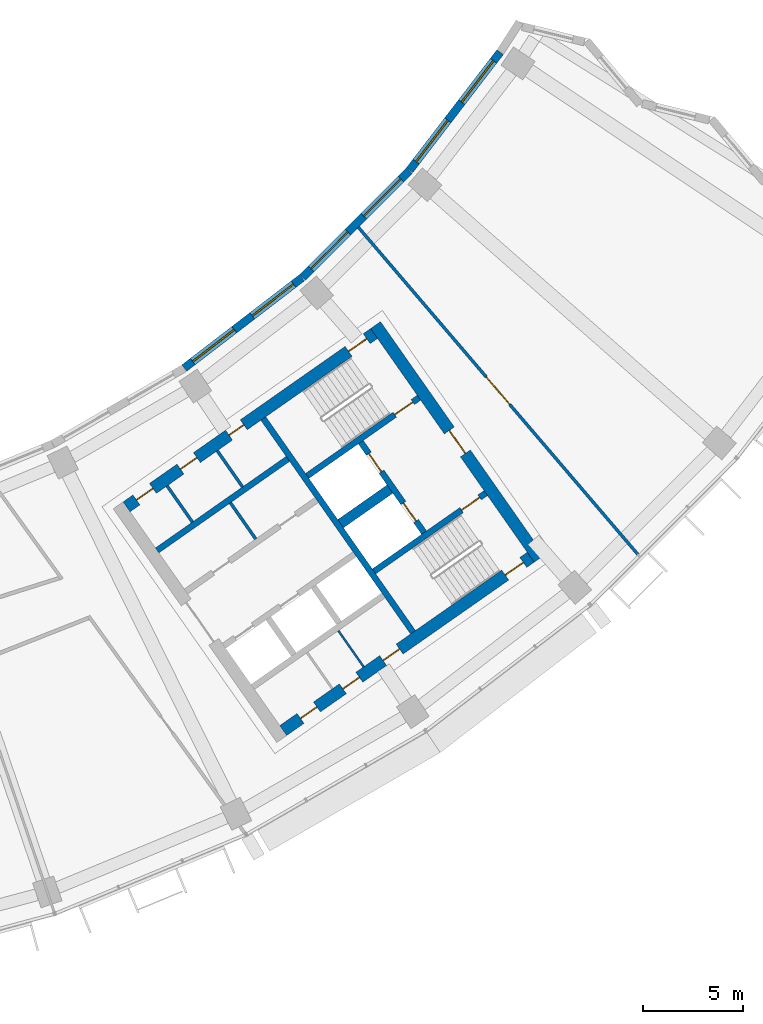
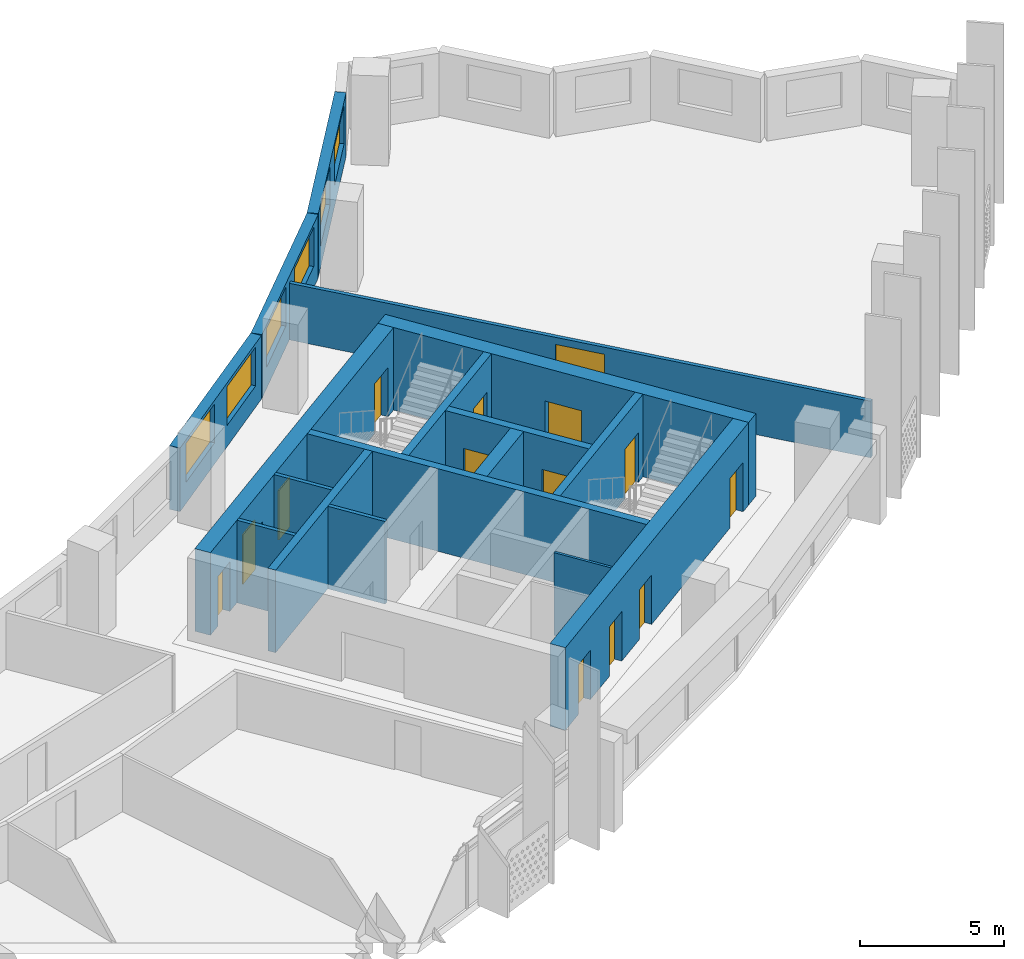
# One storey, part 7 of 27: 17 walls, 14 doors, 6 windows, 20 openings.
"""IFC4 building model written with IfcOpenShell, lengths in metres."""

from ifc_helpers import new_model, si_unit, direction, frame, frame_2d, origin, place, context, subcontext, project, spatial, rectangle, extrude, material, layer, layer_set, type_object, element, fill, save


model = new_model("IFC4")

# Units and contexts
model_context = context("Model", 3, precision=1e-05, world=origin(), true_north=direction((0.0, 1.0)))
body_context = subcontext(model_context, "Body", "Model", "MODEL_VIEW")
ifc_project = project(units=[si_unit("LENGTHUNIT", "METRE"), si_unit("AREAUNIT", "SQUARE_METRE"), si_unit("VOLUMEUNIT", "CUBIC_METRE"), si_unit("PLANEANGLEUNIT", "RADIAN"), si_unit("MASSUNIT", "GRAM", prefix="KILO")], contexts=[model_context])

# Site, building, storey
site_placement = place(None, origin())
site = spatial("IfcSite", under=ifc_project, at=site_placement, CompositionType="ELEMENT")
building_placement = place(site_placement, origin())
building = spatial("IfcBuilding", under=site, at=building_placement, Name="Qamariyya Broadcast Tower", CompositionType="ELEMENT")
storey_placement = place(building_placement, frame((0.0, 0.0, 164.5)))
storey = spatial("IfcBuildingStorey", under=building, at=storey_placement, Name="L38", CompositionType="ELEMENT", Elevation=164.5)

# Wall, opening, door
ifc_material_1 = material(Name="Concrete C60/75", Category="concrete")
ifc_layer_1 = layer(ifc_material_1, 0.60009765625)
ifc_layer_set_1 = layer_set([ifc_layer_1], Name="Core wall 600 mm Concrete C60/75")
wall_type_1 = type_object("IfcWallType", Name="Core wall 600 mm Concrete C60/75", PredefinedType="SHEAR", material=ifc_layer_set_1)
wall_1_placement = place(storey_placement, frame((49.4833984375, -57.031494140625, 0.0), z_axis=(0.0, 0.0, 1.0), x_axis=(-0.573560421458, 0.819163257805, 0.0)))
wall_1 = element("IfcWall", 1, at=wall_1_placement, inside=storey, type_object=wall_type_1, Name="k-E-L38-WH", PredefinedType="SHEAR", context=body_context, shape_type="SweptSolid", body=[
    extrude(rectangle(XDim=14.199951171875, YDim=0.60009765625, at=frame_2d((7.10009765625, 0.0))), origin(), (0.0, 0.0, 1.0), 3.5),
])
opening_1_placement = place(wall_1_placement, frame((6.39990234375, 0.0, 0.0)))
opening_1 = element("IfcOpeningElement", 2, at=opening_1_placement, cuts=wall_1, Name="Opening KD2-E1", PredefinedType="OPENING", context=body_context, shape_type="SweptSolid", body=[
    extrude(rectangle(XDim=1.39990234375, YDim=2.10009765625, at=frame_2d((0.699951171875, 1.050048828125))), frame((0.0, 0.31005859375, 0.0), z_axis=(0.0, -1.0, 0.0), x_axis=(1.0, 0.0, 0.0)), (0.0, 0.0, 1.0), 0.6201171875),
])
ifc_material_2 = material(Name="Steel fire-resisting door leaf", Category="steel")
door_type_1 = type_object("IfcDoorType", Name="Fire-fighting lobby door KD2", OperationType="DOUBLE_DOOR_SINGLE_SWING", PredefinedType="DOOR", material=ifc_material_2)
door_1_placement = place(opening_1_placement, origin())
door_1 = element("IfcDoor", 3, at=door_1_placement, inside=storey, type_object=door_type_1, Name="k-E-L38-WH-D14", OperationType="DOUBLE_DOOR_SINGLE_SWING", OverallHeight=2.10009765625, OverallWidth=1.39990234375, PredefinedType="DOOR", context=body_context, shape_type="SweptSolid", body=[
    extrude(rectangle(XDim=1.39990234375, YDim=2.10009765625, at=frame_2d((0.699951171875, 1.050048828125))), frame((0.0, 0.02490234375, 0.0), z_axis=(0.0, -1.0, 0.0), x_axis=(1.0, 0.0, 0.0)), (0.0, 0.0, 1.0), 0.050048828125),
])
fill(opening_1, door_1)

# Wall, openings, doors
wall_2_placement = place(storey_placement, frame((28.940673828125, -54.447021484375, 0.0), z_axis=(0.0, 0.0, 1.0), x_axis=(0.819153391756, 0.573574511963, 0.0)))
wall_2 = element("IfcWall", 4, at=wall_2_placement, inside=storey, type_object=wall_type_1, Name="k-E-L38-WI", PredefinedType="SHEAR", context=body_context, shape_type="SweptSolid", body=[
    extrude(rectangle(XDim=15.04541015625, YDim=0.60009765625, at=frame_2d((7.522705078125, 0.0))), origin(), (0.0, 0.0, 1.0), 3.5),
])
opening_2_placement = place(wall_2_placement, frame((0.60009765625, 0.0, 0.0)))
opening_2 = element("IfcOpeningElement", 5, at=opening_2_placement, cuts=wall_2, Name="Opening KD7-E1", PredefinedType="OPENING", context=body_context, shape_type="SweptSolid", body=[
    extrude(rectangle(XDim=1.0, YDim=2.10009765625, at=frame_2d((0.5, 1.050048828125))), frame((0.0, 0.31005859375, 0.0), z_axis=(0.0, -1.0, 0.0), x_axis=(1.0, 0.0, 0.0)), (0.0, 0.0, 1.0), 0.6201171875),
])
opening_3_placement = place(wall_2_placement, frame((3.27490234375, 0.0, 0.0)))
opening_3 = element("IfcOpeningElement", 6, at=opening_3_placement, cuts=wall_2, Name="Opening KD6-E3", PredefinedType="OPENING", context=body_context, shape_type="SweptSolid", body=[
    extrude(rectangle(XDim=1.0, YDim=2.10009765625, at=frame_2d((0.5, 1.050048828125))), frame((0.0, 0.31005859375, 0.0), z_axis=(0.0, -1.0, 0.0), x_axis=(1.0, 0.0, 0.0)), (0.0, 0.0, 1.0), 0.6201171875),
])
opening_4_placement = place(wall_2_placement, frame((6.22509765625, 0.0, 0.0)))
opening_4 = element("IfcOpeningElement", 7, at=opening_4_placement, cuts=wall_2, Name="Opening KD5-E1", PredefinedType="OPENING", context=body_context, shape_type="SweptSolid", body=[
    extrude(rectangle(XDim=0.89990234375, YDim=2.10009765625, at=frame_2d((0.449951171875, 1.050048828125))), frame((0.0, 0.31005859375, 0.0), z_axis=(0.0, -1.0, 0.0), x_axis=(1.0, 0.0, 0.0)), (0.0, 0.0, 1.0), 0.6201171875),
])
opening_5_placement = place(wall_2_placement, frame((13.495361328125, 0.0, 0.0)))
opening_5 = element("IfcOpeningElement", 8, at=opening_5_placement, cuts=wall_2, Name="Opening KD1-E1", PredefinedType="OPENING", context=body_context, shape_type="SweptSolid", body=[
    extrude(rectangle(XDim=1.10009765625, YDim=2.10009765625, at=frame_2d((0.550048828125, 1.050048828125))), frame((0.0, 0.31005859375, 0.0), z_axis=(0.0, -1.0, 0.0), x_axis=(1.0, 0.0, 0.0)), (0.0, 0.0, 1.0), 0.6201171875),
])
door_type_2 = type_object("IfcDoorType", Name="Accessible toilet door KD7", OperationType="SINGLE_SWING_LEFT", PredefinedType="DOOR", material=ifc_material_2)
door_2_placement = place(opening_2_placement, origin())
door_2 = element("IfcDoor", 9, at=door_2_placement, inside=storey, type_object=door_type_2, Name="k-E-L38-WI-D6", OperationType="SINGLE_SWING_RIGHT", OverallHeight=2.10009765625, OverallWidth=1.0, PredefinedType="DOOR", context=body_context, shape_type="SweptSolid", body=[
    extrude(rectangle(XDim=1.0, YDim=2.10009765625, at=frame_2d((0.5, 1.050048828125))), frame((0.0, 0.02490234375, 0.0), z_axis=(0.0, -1.0, 0.0), x_axis=(1.0, 0.0, 0.0)), (0.0, 0.0, 1.0), 0.050048828125),
])
fill(opening_2, door_2)
door_type_3 = type_object("IfcDoorType", Name="Core room door KD6", OperationType="SINGLE_SWING_LEFT", PredefinedType="DOOR", material=ifc_material_2)
door_3_placement = place(opening_3_placement, origin())
door_3 = element("IfcDoor", 10, at=door_3_placement, inside=storey, type_object=door_type_3, Name="k-E-L38-WI-D7", OperationType="SINGLE_SWING_LEFT", OverallHeight=2.10009765625, OverallWidth=1.0, PredefinedType="DOOR", context=body_context, shape_type="SweptSolid", body=[
    extrude(rectangle(XDim=1.0, YDim=2.10009765625, at=frame_2d((0.5, 1.050048828125))), frame((0.0, 0.02490234375, 0.0), z_axis=(0.0, -1.0, 0.0), x_axis=(1.0, 0.0, 0.0)), (0.0, 0.0, 1.0), 0.050048828125),
])
fill(opening_3, door_3)
door_type_4 = type_object("IfcDoorType", Name="Stair door KD1", OperationType="SINGLE_SWING_LEFT", PredefinedType="DOOR", material=ifc_material_2)
door_4_placement = place(opening_5_placement, origin())
door_4 = element("IfcDoor", 11, at=door_4_placement, inside=storey, type_object=door_type_4, Name="k-E-L38-WI-D15", OperationType="SINGLE_SWING_RIGHT", OverallHeight=2.10009765625, OverallWidth=1.10009765625, PredefinedType="DOOR", context=body_context, shape_type="SweptSolid", body=[
    extrude(rectangle(XDim=1.10009765625, YDim=2.10009765625, at=frame_2d((0.550048828125, 1.050048828125))), frame((0.0, 0.02490234375, 0.0), z_axis=(0.0, -1.0, 0.0), x_axis=(1.0, 0.0, 0.0)), (0.0, 0.0, 1.0), 0.050048828125),
])
fill(opening_5, door_4)
door_type_5 = type_object("IfcDoorType", Name="Toilet door KD5", OperationType="SINGLE_SWING_LEFT", PredefinedType="DOOR", material=ifc_material_2)
door_5_placement = place(opening_4_placement, origin())
door_5 = element("IfcDoor", 12, at=door_5_placement, inside=storey, type_object=door_type_5, Name="k-E-L38-WI-D8", OperationType="SINGLE_SWING_RIGHT", OverallHeight=2.10009765625, OverallWidth=0.89990234375, PredefinedType="DOOR", context=body_context, shape_type="SweptSolid", body=[
    extrude(rectangle(XDim=0.89990234375, YDim=2.10009765625, at=frame_2d((0.449951171875, 1.050048828125))), frame((0.0, 0.02490234375, 0.0), z_axis=(0.0, -1.0, 0.0), x_axis=(1.0, 0.0, 0.0)), (0.0, 0.0, 1.0), 0.050048828125),
])
fill(opening_4, door_5)

wall_3_placement = place(storey_placement, frame((36.7412109375, -65.58740234375, 0.0), z_axis=(0.0, 0.0, 1.0), x_axis=(0.819153391756, 0.573574511963, 0.0)))
wall_3 = element("IfcWall", 13, at=wall_3_placement, inside=storey, type_object=wall_type_1, Name="k-E-L38-WO", PredefinedType="SHEAR", context=body_context, shape_type="SweptSolid", body=[
    extrude(rectangle(XDim=15.04541015625, YDim=0.60009765625, at=frame_2d((7.522705078125, 0.0))), origin(), (0.0, 0.0, 1.0), 3.5),
])
opening_6_placement = place(wall_3_placement, frame((1.050048828125, 0.0, 0.0)))
opening_6 = element("IfcOpeningElement", 14, at=opening_6_placement, cuts=wall_3, Name="Opening KD4-E1", PredefinedType="OPENING", context=body_context, shape_type="SweptSolid", body=[
    extrude(rectangle(XDim=1.0, YDim=2.10009765625, at=frame_2d((0.5, 1.050048828125))), frame((0.0, 0.31005859375, 0.0), z_axis=(0.0, -1.0, 0.0), x_axis=(1.0, 0.0, 0.0)), (0.0, 0.0, 1.0), 0.6201171875),
])
opening_7_placement = place(wall_3_placement, frame((3.625, 0.0, 0.0)))
opening_7 = element("IfcOpeningElement", 15, at=opening_7_placement, cuts=wall_3, Name="Opening KD4-E2", PredefinedType="OPENING", context=body_context, shape_type="SweptSolid", body=[
    extrude(rectangle(XDim=1.0, YDim=2.10009765625, at=frame_2d((0.5, 1.050048828125))), frame((0.0, 0.31005859375, 0.0), z_axis=(0.0, -1.0, 0.0), x_axis=(1.0, 0.0, 0.0)), (0.0, 0.0, 1.0), 0.6201171875),
])
opening_8_placement = place(wall_3_placement, frame((6.074951171875, 0.0, 0.0)))
opening_8 = element("IfcOpeningElement", 16, at=opening_8_placement, cuts=wall_3, Name="Opening KD6-E4", PredefinedType="OPENING", context=body_context, shape_type="SweptSolid", body=[
    extrude(rectangle(XDim=1.0, YDim=2.10009765625, at=frame_2d((0.5, 1.050048828125))), frame((0.0, 0.31005859375, 0.0), z_axis=(0.0, -1.0, 0.0), x_axis=(1.0, 0.0, 0.0)), (0.0, 0.0, 1.0), 0.6201171875),
])
opening_9_placement = place(wall_3_placement, frame((13.495361328125, 0.0, 0.0)))
opening_9 = element("IfcOpeningElement", 17, at=opening_9_placement, cuts=wall_3, Name="Opening KD1-E3", PredefinedType="OPENING", context=body_context, shape_type="SweptSolid", body=[
    extrude(rectangle(XDim=1.10009765625, YDim=2.10009765625, at=frame_2d((0.550048828125, 1.050048828125))), frame((0.0, 0.31005859375, 0.0), z_axis=(0.0, -1.0, 0.0), x_axis=(1.0, 0.0, 0.0)), (0.0, 0.0, 1.0), 0.6201171875),
])
door_6_placement = place(opening_8_placement, origin())
door_6 = element("IfcDoor", 18, at=door_6_placement, inside=storey, type_object=door_type_3, Name="k-E-L38-WO-D11", OperationType="SINGLE_SWING_LEFT", OverallHeight=2.10009765625, OverallWidth=1.0, PredefinedType="DOOR", context=body_context, shape_type="SweptSolid", body=[
    extrude(rectangle(XDim=1.0, YDim=2.10009765625, at=frame_2d((0.5, 1.050048828125))), frame((0.0, 0.02490234375, 0.0), z_axis=(0.0, -1.0, 0.0), x_axis=(1.0, 0.0, 0.0)), (0.0, 0.0, 1.0), 0.050048828125),
])
fill(opening_8, door_6)
door_type_6 = type_object("IfcDoorType", Name="Riser and plant door KD4", OperationType="SINGLE_SWING_LEFT", PredefinedType="DOOR", material=ifc_material_2)
door_7_placement = place(opening_6_placement, origin())
door_7 = element("IfcDoor", 19, at=door_7_placement, inside=storey, type_object=door_type_6, Name="k-E-L38-WO-D9", OperationType="SINGLE_SWING_LEFT", OverallHeight=2.10009765625, OverallWidth=1.0, PredefinedType="DOOR", context=body_context, shape_type="SweptSolid", body=[
    extrude(rectangle(XDim=1.0, YDim=2.10009765625, at=frame_2d((0.5, 1.050048828125))), frame((0.0, 0.02490234375, 0.0), z_axis=(0.0, -1.0, 0.0), x_axis=(1.0, 0.0, 0.0)), (0.0, 0.0, 1.0), 0.050048828125),
])
fill(opening_6, door_7)
door_8_placement = place(opening_7_placement, origin())
door_8 = element("IfcDoor", 20, at=door_8_placement, inside=storey, type_object=door_type_6, Name="k-E-L38-WO-D10", OperationType="SINGLE_SWING_RIGHT", OverallHeight=2.10009765625, OverallWidth=1.0, PredefinedType="DOOR", context=body_context, shape_type="SweptSolid", body=[
    extrude(rectangle(XDim=1.0, YDim=2.10009765625, at=frame_2d((0.5, 1.050048828125))), frame((0.0, 0.02490234375, 0.0), z_axis=(0.0, -1.0, 0.0), x_axis=(1.0, 0.0, 0.0)), (0.0, 0.0, 1.0), 0.050048828125),
])
fill(opening_7, door_8)
door_9_placement = place(opening_9_placement, origin())
door_9 = element("IfcDoor", 21, at=door_9_placement, inside=storey, type_object=door_type_4, Name="k-E-L38-WO-D17", OperationType="SINGLE_SWING_LEFT", OverallHeight=2.10009765625, OverallWidth=1.10009765625, PredefinedType="DOOR", context=body_context, shape_type="SweptSolid", body=[
    extrude(rectangle(XDim=1.10009765625, YDim=2.10009765625, at=frame_2d((0.550048828125, 1.050048828125))), frame((0.0, 0.02490234375, 0.0), z_axis=(0.0, -1.0, 0.0), x_axis=(1.0, 0.0, 0.0)), (0.0, 0.0, 1.0), 0.050048828125),
])
fill(opening_9, door_9)

# Wall, opening, door
ifc_material_3 = material(Name="Gypsum board partition")
ifc_layer_2 = layer(ifc_material_3, 0.14990234375)
ifc_layer_set_2 = layer_set([ifc_layer_2], Name="Corridor partition 150 EI 60")
wall_type_2 = type_object("IfcWallType", Name="Corridor partition 150 EI 60", PredefinedType="PARTITIONING", material=ifc_layer_set_2)
wall_4_placement = place(storey_placement, frame((40.478759765625, -40.52294921875, 0.0), z_axis=(0.0, 0.0, 1.0), x_axis=(0.649633284071, -0.760247720303, 0.0)))
wall_4 = element("IfcWall", 22, at=wall_4_placement, inside=storey, type_object=wall_type_2, Name="Partition L38-028", PredefinedType="PARTITIONING", context=body_context, shape_type="SweptSolid", body=[
    extrude(rectangle(XDim=21.420166015625, YDim=0.14990234375, at=frame_2d((10.7099609375, 0.0))), origin(), (0.0, 0.0, 1.0), 2.39990234375),
])
opening_10_placement = place(wall_4_placement, frame((9.81005859375, 0.0, 0.0)))
opening_10 = element("IfcOpeningElement", 23, at=opening_10_placement, cuts=wall_4, Name="Opening L38-D14", PredefinedType="OPENING", context=body_context, shape_type="SweptSolid", body=[
    extrude(rectangle(XDim=1.800048828125, YDim=2.10009765625, at=frame_2d((0.89990234375, 1.050048828125))), frame((0.0, 0.0849609375, 0.0), z_axis=(0.0, -1.0, 0.0), x_axis=(1.0, 0.0, 0.0)), (0.0, 0.0, 1.0), 0.169921875),
])
ifc_material_4 = material(Name="Timber fire door leaf", Category="wood")
door_type_7 = type_object("IfcDoorType", Name="Double fire door 1800 x 2100 FD60", OperationType="NOTDEFINED", PredefinedType="DOOR", material=ifc_material_4)
door_10_placement = place(opening_10_placement, origin())
door_10 = element("IfcDoor", 24, at=door_10_placement, inside=storey, type_object=door_type_7, Name="Door L38-D14", OperationType="DOUBLE_DOOR_SINGLE_SWING", OverallHeight=2.10009765625, OverallWidth=1.800048828125, PredefinedType="DOOR", context=body_context, shape_type="SweptSolid", body=[
    extrude(rectangle(XDim=1.800048828125, YDim=2.10009765625, at=frame_2d((0.89990234375, 1.050048828125))), frame((0.0, 0.02490234375, 0.0), z_axis=(0.0, -1.0, 0.0), x_axis=(1.0, 0.0, 0.0)), (0.0, 0.0, 1.0), 0.050048828125),
])
fill(opening_10, door_10)

# Walls
ifc_layer_3 = layer(ifc_material_1, 0.5)
ifc_layer_set_3 = layer_set([ifc_layer_3], Name="Fire-fighting lobby divider wall 500 mm Concrete C60/75")
wall_type_3 = type_object("IfcWallType", Name="Fire-fighting lobby divider wall 500 mm Concrete C60/75", PredefinedType="SOLIDWALL", material=ifc_layer_set_3)
wall_5_placement = place(storey_placement, frame((39.59912109375, -55.28515625, 0.0), z_axis=(0.0, 0.0, 1.0), x_axis=(0.819136323161, 0.573598887793, 0.0)))
element("IfcWall", 25, at=wall_5_placement, inside=storey, type_object=wall_type_3, Name="k-E-L38-FD", PredefinedType="SOLIDWALL", context=body_context, shape_type="SweptSolid", body=[
    extrude(rectangle(XDim=2.999755859375, YDim=0.5, at=frame_2d((1.5, 0.0))), origin(), (0.0, 0.0, 1.0), 3.5),
])
ifc_material_5 = material(Name="Gypsum board partition on steel studs", Category="steel")
ifc_layer_4 = layer(ifc_material_5, 0.14990234375)
ifc_layer_set_4 = layer_set([ifc_layer_4], Name="Gypsum board partition 150 mm")
wall_type_4 = type_object("IfcWallType", Name="Gypsum board partition 150 mm", PredefinedType="PARTITIONING", material=ifc_layer_set_4)
wall_6_placement = place(storey_placement, frame((35.371826171875, -56.047607421875, 0.0), z_axis=(0.0, 0.0, 1.0), x_axis=(-0.573559170999, 0.819164133348, 0.0)))
element("IfcWall", 26, at=wall_6_placement, inside=storey, type_object=wall_type_4, Name="k-E-L38-NC435", PredefinedType="PARTITIONING", context=body_context, shape_type="SweptSolid", body=[
    extrude(rectangle(XDim=2.19970703125, YDim=0.14990234375, at=frame_2d((1.099853515625, 0.0))), origin(), (0.0, 0.0, 1.0), 3.5),
])
wall_7_placement = place(storey_placement, frame((32.2177734375, -55.204345703125, 0.0), z_axis=(0.0, 0.0, 1.0), x_axis=(-0.573581496053, 0.819148501424, 0.0)))
element("IfcWall", 27, at=wall_7_placement, inside=storey, type_object=wall_type_4, Name="k-E-L38-NP225", PredefinedType="PARTITIONING", context=body_context, shape_type="SweptSolid", body=[
    extrude(rectangle(XDim=2.2001953125, YDim=0.14990234375, at=frame_2d((1.10009765625, 0.0))), origin(), (0.0, 0.0, 1.0), 3.5),
])
wall_8_placement = place(storey_placement, frame((34.716064453125, -53.454833984375, 0.0), z_axis=(0.0, 0.0, 1.0), x_axis=(-0.573507030513, 0.819200638399, 0.0)))
element("IfcWall", 28, at=wall_8_placement, inside=storey, type_object=wall_type_4, Name="k-E-L38-NP530", PredefinedType="PARTITIONING", context=body_context, shape_type="SweptSolid", body=[
    extrude(rectangle(XDim=2.199951171875, YDim=0.14990234375, at=frame_2d((1.10009765625, 0.0))), origin(), (0.0, 0.0, 1.0), 3.5),
])
ifc_layer_5 = layer(ifc_material_1, 0.300048828125)
ifc_layer_set_5 = layer_set([ifc_layer_5], Name="Lift shaft wall 300 mm Concrete C60/75")
wall_type_5 = type_object("IfcWallType", Name="Lift shaft wall 300 mm Concrete C60/75", PredefinedType="SOLIDWALL", material=ifc_layer_set_5)
wall_9_placement = place(storey_placement, frame((43.204345703125, -60.69580078125, 0.0), z_axis=(0.0, 0.0, 1.0), x_axis=(-0.573571992966, 0.819155155563, 0.0)))
element("IfcWall", 29, at=wall_9_placement, inside=storey, type_object=wall_type_5, Name="k-E-L38-WL", PredefinedType="SOLIDWALL", context=body_context, shape_type="SweptSolid", body=[
    extrude(rectangle(XDim=13.000244140625, YDim=0.300048828125, at=frame_2d((6.5, 0.0))), origin(), (0.0, 0.0, 1.0), 3.5),
])
wall_10_placement = place(storey_placement, frame((30.460693359375, -56.61767578125, 0.0), z_axis=(0.0, 0.0, 1.0), x_axis=(0.819142461705, 0.573590121456, 0.0)))
element("IfcWall", 30, at=wall_10_placement, inside=storey, type_object=wall_type_5, Name="k-E-L38-NB0", PredefinedType="SOLIDWALL", context=body_context, shape_type="SweptSolid", body=[
    extrude(rectangle(XDim=7.949951171875, YDim=0.300048828125, at=frame_2d((3.97509765625, 0.0))), origin(), (0.0, 0.0, 1.0), 3.5),
])

# Wall, opening, door
wall_11_placement = place(storey_placement, frame((37.935546875, -52.90966796875, 0.0), z_axis=(0.0, 0.0, 1.0), x_axis=(0.819147518138, 0.57358290031, 0.0)))
wall_11 = element("IfcWall", 31, at=wall_11_placement, inside=storey, type_object=wall_type_5, Name="k-E-L38-NW", PredefinedType="SOLIDWALL", context=body_context, shape_type="SweptSolid", body=[
    extrude(rectangle(XDim=6.79541015625, YDim=0.300048828125, at=frame_2d((3.397705078125, 0.0))), origin(), (0.0, 0.0, 1.0), 3.5),
])
opening_11_placement = place(wall_11_placement, frame((5.3203125, 0.0, 0.0)))
opening_11 = element("IfcOpeningElement", 32, at=opening_11_placement, cuts=wall_11, Name="Opening KD1-E2", PredefinedType="OPENING", context=body_context, shape_type="SweptSolid", body=[
    extrude(rectangle(XDim=1.10009765625, YDim=2.10009765625, at=frame_2d((0.550048828125, 1.050048828125))), frame((0.0, 0.159912109375, 0.0), z_axis=(0.0, -1.0, 0.0), x_axis=(1.0, 0.0, 0.0)), (0.0, 0.0, 1.0), 0.320068359375),
])
door_11_placement = place(opening_11_placement, origin())
door_11 = element("IfcDoor", 33, at=door_11_placement, inside=storey, type_object=door_type_4, Name="k-E-L38-NW-D16", OperationType="SINGLE_SWING_RIGHT", OverallHeight=2.10009765625, OverallWidth=1.10009765625, PredefinedType="DOOR", context=body_context, shape_type="SweptSolid", body=[
    extrude(rectangle(XDim=1.10009765625, YDim=2.10009765625, at=frame_2d((0.550048828125, 1.050048828125))), frame((0.0, 0.02490234375, 0.0), z_axis=(0.0, -1.0, 0.0), x_axis=(1.0, 0.0, 0.0)), (0.0, 0.0, 1.0), 0.050048828125),
])
fill(opening_11, door_11)

wall_12_placement = place(storey_placement, frame((41.262451171875, -57.66064453125, 0.0), z_axis=(0.0, 0.0, 1.0), x_axis=(0.819164398642, 0.573558792102, 0.0)))
wall_12 = element("IfcWall", 34, at=wall_12_placement, inside=storey, type_object=wall_type_5, Name="k-E-L38-SW", PredefinedType="SOLIDWALL", context=body_context, shape_type="SweptSolid", body=[
    extrude(rectangle(XDim=6.795166015625, YDim=0.300048828125, at=frame_2d((3.3974609375, 0.0))), origin(), (0.0, 0.0, 1.0), 3.5),
])
opening_12_placement = place(wall_12_placement, frame((5.3203125, 0.0, 0.0)))
opening_12 = element("IfcOpeningElement", 35, at=opening_12_placement, cuts=wall_12, Name="Opening KD1-E4", PredefinedType="OPENING", context=body_context, shape_type="SweptSolid", body=[
    extrude(rectangle(XDim=1.10009765625, YDim=2.10009765625, at=frame_2d((0.550048828125, 1.050048828125))), frame((0.0, 0.159912109375, 0.0), z_axis=(0.0, -1.0, 0.0), x_axis=(1.0, 0.0, 0.0)), (0.0, 0.0, 1.0), 0.320068359375),
])
door_12_placement = place(opening_12_placement, origin())
door_12 = element("IfcDoor", 36, at=door_12_placement, inside=storey, type_object=door_type_4, Name="k-E-L38-SW-D18", OperationType="SINGLE_SWING_RIGHT", OverallHeight=2.10009765625, OverallWidth=1.10009765625, PredefinedType="DOOR", context=body_context, shape_type="SweptSolid", body=[
    extrude(rectangle(XDim=1.10009765625, YDim=2.10009765625, at=frame_2d((0.550048828125, 1.050048828125))), frame((0.0, 0.02490234375, 0.0), z_axis=(0.0, -1.0, 0.0), x_axis=(1.0, 0.0, 0.0)), (0.0, 0.0, 1.0), 0.050048828125),
])
fill(opening_12, door_12)

# Wall, openings, doors
wall_13_placement = place(storey_placement, frame((43.756591796875, -55.731201171875, 0.0), z_axis=(0.0, 0.0, 1.0), x_axis=(-0.573536818435, 0.819179783625, 0.0)))
wall_13 = element("IfcWall", 37, at=wall_13_placement, inside=storey, type_object=wall_type_5, Name="k-E-L38-FF", PredefinedType="SOLIDWALL", context=body_context, shape_type="SweptSolid", body=[
    extrude(rectangle(XDim=5.500244140625, YDim=0.300048828125, at=frame_2d((2.75, 0.0))), origin(), (0.0, 0.0, 1.0), 3.5),
])
opening_13_placement = place(wall_13_placement, frame((0.699951171875, 0.0, 0.0)))
opening_13 = element("IfcOpeningElement", 38, at=opening_13_placement, cuts=wall_13, Name="Opening LD", PredefinedType="OPENING", context=body_context, shape_type="SweptSolid", body=[
    extrude(rectangle(XDim=1.10009765625, YDim=2.10009765625, at=frame_2d((0.550048828125, 1.050048828125))), frame((0.0, 0.159912109375, 0.0), z_axis=(0.0, -1.0, 0.0), x_axis=(1.0, 0.0, 0.0)), (0.0, 0.0, 1.0), 0.320068359375),
])
opening_14_placement = place(wall_13_placement, frame((3.699951171875, 0.0, 0.0)))
opening_14 = element("IfcOpeningElement", 39, at=opening_14_placement, cuts=wall_13, Name="Opening LD", PredefinedType="OPENING", context=body_context, shape_type="SweptSolid", body=[
    extrude(rectangle(XDim=1.10009765625, YDim=2.10009765625, at=frame_2d((0.550048828125, 1.050048828125))), frame((0.0, 0.159912109375, 0.0), z_axis=(0.0, -1.0, 0.0), x_axis=(1.0, 0.0, 0.0)), (0.0, 0.0, 1.0), 0.320068359375),
])
door_type_8 = type_object("IfcDoorType", Name="Lift landing door LD", OperationType="DOUBLE_DOOR_SLIDING", PredefinedType="DOOR", material=ifc_material_2)
door_13_placement = place(opening_13_placement, origin())
door_13 = element("IfcDoor", 40, at=door_13_placement, inside=storey, type_object=door_type_8, Name="k-E-L38-FF-D12", OperationType="DOUBLE_DOOR_SLIDING", OverallHeight=2.10009765625, OverallWidth=1.10009765625, PredefinedType="DOOR", context=body_context, shape_type="SweptSolid", body=[
    extrude(rectangle(XDim=1.10009765625, YDim=2.10009765625, at=frame_2d((0.550048828125, 1.050048828125))), frame((0.0, 0.02490234375, 0.0), z_axis=(0.0, -1.0, 0.0), x_axis=(1.0, 0.0, 0.0)), (0.0, 0.0, 1.0), 0.050048828125),
])
fill(opening_13, door_13)
door_14_placement = place(opening_14_placement, origin())
door_14 = element("IfcDoor", 41, at=door_14_placement, inside=storey, type_object=door_type_8, Name="k-E-L38-FF-D13", OperationType="DOUBLE_DOOR_SLIDING", OverallHeight=2.10009765625, OverallWidth=1.10009765625, PredefinedType="DOOR", context=body_context, shape_type="SweptSolid", body=[
    extrude(rectangle(XDim=1.10009765625, YDim=2.10009765625, at=frame_2d((0.550048828125, 1.050048828125))), frame((0.0, 0.02490234375, 0.0), z_axis=(0.0, -1.0, 0.0), x_axis=(1.0, 0.0, 0.0)), (0.0, 0.0, 1.0), 0.050048828125),
])
fill(opening_14, door_14)

# Wall
ifc_material_6 = material(Name="Fire-rated gypsum shaft liner on steel studs", Category="steel")
ifc_layer_6 = layer(ifc_material_6, 0.10009765625)
ifc_layer_set_6 = layer_set([ifc_layer_6], Name="Riser wall 100 mm")
wall_type_6 = type_object("IfcWallType", Name="Riser wall 100 mm", PredefinedType="PLUMBINGWALL", material=ifc_layer_set_6)
wall_14_placement = place(storey_placement, frame((39.485107421875, -60.6142578125, 0.0), z_axis=(0.0, 0.0, 1.0), x_axis=(0.573507030513, -0.819200638399, 0.0)))
element("IfcWall", 42, at=wall_14_placement, inside=storey, type_object=wall_type_6, Name="k-E-L38-SP510", PredefinedType="PLUMBINGWALL", context=body_context, shape_type="SweptSolid", body=[
    extrude(rectangle(XDim=2.199951171875, YDim=0.10009765625, at=frame_2d((1.10009765625, 0.0))), origin(), (0.0, 0.0, 1.0), 3.5),
])

# Wall, openings, windows
ifc_material_7 = material(Name="Terracotta", Category="masonry")
ifc_layer_7 = layer(ifc_material_7, 0.39990234375)
ifc_layer_set_7 = layer_set([ifc_layer_7], Name="Terracotta clad wall 400")
wall_type_7 = type_object("IfcWallType", Name="Terracotta clad wall 400", PredefinedType="SOLIDWALL", material=ifc_layer_set_7)
wall_15_placement = place(storey_placement, frame((37.674560546875, -43.036376953125, 0.0), z_axis=(0.0, 0.0, 1.0), x_axis=(-0.79334647843, -0.608770371457, 0.0)))
wall_15 = element("IfcWall", 43, at=wall_15_placement, inside=storey, type_object=wall_type_7, Name="e-wl-L38-in120", PredefinedType="SOLIDWALL", context=body_context, shape_type="SweptSolid", body=[
    extrude(rectangle(XDim=7.380615234375, YDim=0.39990234375, at=frame_2d((3.6904296875, 0.0))), origin(), (0.0, 0.0, 1.0), 2.699951171875),
])
opening_15_placement = place(wall_15_placement, frame((4.25439453125, 0.0, 0.89990234375)))
opening_15 = element("IfcOpeningElement", 44, at=opening_15_placement, cuts=wall_15, Name="Opening W1", PredefinedType="OPENING", context=body_context, shape_type="SweptSolid", body=[
    extrude(rectangle(XDim=2.60009765625, YDim=1.64990234375, at=frame_2d((1.300048828125, 0.824951171875))), frame((0.0, 0.2099609375, 0.0), z_axis=(0.0, -1.0, 0.0), x_axis=(1.0, 0.0, 0.0)), (0.0, 0.0, 1.0), 0.419921875),
])
opening_16_placement = place(wall_15_placement, frame((0.5263671875, 0.0, 0.89990234375)))
opening_16 = element("IfcOpeningElement", 45, at=opening_16_placement, cuts=wall_15, Name="Opening W1", PredefinedType="OPENING", context=body_context, shape_type="SweptSolid", body=[
    extrude(rectangle(XDim=2.60009765625, YDim=1.64990234375, at=frame_2d((1.300048828125, 0.824951171875))), frame((0.0, 0.2099609375, 0.0), z_axis=(0.0, -1.0, 0.0), x_axis=(1.0, 0.0, 0.0)), (0.0, 0.0, 1.0), 0.419921875),
])
ifc_material_8 = material(Name="Clear low-e double glazed unit in aluminium frame", Category="aluminium")
window_type = type_object("IfcWindowType", Name="Ribbon window 2600 x 1650", PartitioningType="SINGLE_PANEL", PredefinedType="WINDOW", material=ifc_material_8)
window_1_placement = place(opening_15_placement, origin())
window_1 = element("IfcWindow", 46, at=window_1_placement, inside=storey, type_object=window_type, Name="e-w-L38-in12-0", OverallHeight=1.64990234375, OverallWidth=2.60009765625, PartitioningType="SINGLE_PANEL", PredefinedType="WINDOW", context=body_context, shape_type="SweptSolid", body=[
    extrude(rectangle(XDim=2.60009765625, YDim=1.64990234375, at=frame_2d((1.300048828125, 0.824951171875))), frame((0.0, 0.030029296875, 0.0), z_axis=(0.0, -1.0, 0.0), x_axis=(1.0, 0.0, 0.0)), (0.0, 0.0, 1.0), 0.06005859375),
])
fill(opening_15, window_1)
window_2_placement = place(opening_16_placement, origin())
window_2 = element("IfcWindow", 47, at=window_2_placement, inside=storey, type_object=window_type, Name="e-w-L38-in12-1", OverallHeight=1.64990234375, OverallWidth=2.60009765625, PartitioningType="SINGLE_PANEL", PredefinedType="WINDOW", context=body_context, shape_type="SweptSolid", body=[
    extrude(rectangle(XDim=2.60009765625, YDim=1.64990234375, at=frame_2d((1.300048828125, 0.824951171875))), frame((0.0, 0.030029296875, 0.0), z_axis=(0.0, -1.0, 0.0), x_axis=(1.0, 0.0, 0.0)), (0.0, 0.0, 1.0), 0.06005859375),
])
fill(opening_16, window_2)

wall_16_placement = place(storey_placement, frame((43.023193359375, -37.697265625, 0.0), z_axis=(0.0, 0.0, 1.0), x_axis=(-0.707106781187, -0.707106781187, 0.0)))
wall_16 = element("IfcWall", 48, at=wall_16_placement, inside=storey, type_object=wall_type_7, Name="e-wl-L38-in130", PredefinedType="SOLIDWALL", context=body_context, shape_type="SweptSolid", body=[
    extrude(rectangle(XDim=7.531982421875, YDim=0.39990234375, at=frame_2d((3.76611328125, 0.0))), origin(), (0.0, 0.0, 1.0), 2.699951171875),
])
opening_17_placement = place(wall_16_placement, frame((4.330078125, 0.0, 0.89990234375)))
opening_17 = element("IfcOpeningElement", 49, at=opening_17_placement, cuts=wall_16, Name="Opening W1", PredefinedType="OPENING", context=body_context, shape_type="SweptSolid", body=[
    extrude(rectangle(XDim=2.60009765625, YDim=1.64990234375, at=frame_2d((1.300048828125, 0.824951171875))), frame((0.0, 0.2099609375, 0.0), z_axis=(0.0, -1.0, 0.0), x_axis=(1.0, 0.0, 0.0)), (0.0, 0.0, 1.0), 0.419921875),
])
opening_18_placement = place(wall_16_placement, frame((0.60205078125, 0.0, 0.89990234375)))
opening_18 = element("IfcOpeningElement", 50, at=opening_18_placement, cuts=wall_16, Name="Opening W1", PredefinedType="OPENING", context=body_context, shape_type="SweptSolid", body=[
    extrude(rectangle(XDim=2.60009765625, YDim=1.64990234375, at=frame_2d((1.300048828125, 0.824951171875))), frame((0.0, 0.2099609375, 0.0), z_axis=(0.0, -1.0, 0.0), x_axis=(1.0, 0.0, 0.0)), (0.0, 0.0, 1.0), 0.419921875),
])
window_3_placement = place(opening_17_placement, origin())
window_3 = element("IfcWindow", 51, at=window_3_placement, inside=storey, type_object=window_type, Name="e-w-L38-in13-0", OverallHeight=1.64990234375, OverallWidth=2.60009765625, PartitioningType="SINGLE_PANEL", PredefinedType="WINDOW", context=body_context, shape_type="SweptSolid", body=[
    extrude(rectangle(XDim=2.60009765625, YDim=1.64990234375, at=frame_2d((1.300048828125, 0.824951171875))), frame((0.0, 0.030029296875, 0.0), z_axis=(0.0, -1.0, 0.0), x_axis=(1.0, 0.0, 0.0)), (0.0, 0.0, 1.0), 0.06005859375),
])
fill(opening_17, window_3)
window_4_placement = place(opening_18_placement, origin())
window_4 = element("IfcWindow", 52, at=window_4_placement, inside=storey, type_object=window_type, Name="e-w-L38-in13-1", OverallHeight=1.64990234375, OverallWidth=2.60009765625, PartitioningType="SINGLE_PANEL", PredefinedType="WINDOW", context=body_context, shape_type="SweptSolid", body=[
    extrude(rectangle(XDim=2.60009765625, YDim=1.64990234375, at=frame_2d((1.300048828125, 0.824951171875))), frame((0.0, 0.030029296875, 0.0), z_axis=(0.0, -1.0, 0.0), x_axis=(1.0, 0.0, 0.0)), (0.0, 0.0, 1.0), 0.06005859375),
])
fill(opening_18, window_4)

wall_17_placement = place(storey_placement, frame((47.53857421875, -31.807373046875, 0.0), z_axis=(0.0, 0.0, 1.0), x_axis=(-0.608773850571, -0.793343808737, 0.0)))
wall_17 = element("IfcWall", 53, at=wall_17_placement, inside=storey, type_object=wall_type_7, Name="e-wl-L38-in140", PredefinedType="SOLIDWALL", context=body_context, shape_type="SweptSolid", body=[
    extrude(rectangle(XDim=7.3955078125, YDim=0.39990234375, at=frame_2d((3.69775390625, 0.0))), origin(), (0.0, 0.0, 1.0), 2.699951171875),
])
opening_19_placement = place(wall_17_placement, frame((4.26904296875, 0.0, 0.89990234375)))
opening_19 = element("IfcOpeningElement", 54, at=opening_19_placement, cuts=wall_17, Name="Opening W1", PredefinedType="OPENING", context=body_context, shape_type="SweptSolid", body=[
    extrude(rectangle(XDim=2.60009765625, YDim=1.64990234375, at=frame_2d((1.300048828125, 0.824951171875))), frame((0.0, 0.2099609375, 0.0), z_axis=(0.0, -1.0, 0.0), x_axis=(1.0, 0.0, 0.0)), (0.0, 0.0, 1.0), 0.419921875),
])
opening_20_placement = place(wall_17_placement, frame((0.541259765625, 0.0, 0.89990234375)))
opening_20 = element("IfcOpeningElement", 55, at=opening_20_placement, cuts=wall_17, Name="Opening W1", PredefinedType="OPENING", context=body_context, shape_type="SweptSolid", body=[
    extrude(rectangle(XDim=2.60009765625, YDim=1.64990234375, at=frame_2d((1.300048828125, 0.824951171875))), frame((0.0, 0.2099609375, 0.0), z_axis=(0.0, -1.0, 0.0), x_axis=(1.0, 0.0, 0.0)), (0.0, 0.0, 1.0), 0.419921875),
])
window_5_placement = place(opening_19_placement, origin())
window_5 = element("IfcWindow", 56, at=window_5_placement, inside=storey, type_object=window_type, Name="e-w-L38-in14-0", OverallHeight=1.64990234375, OverallWidth=2.60009765625, PartitioningType="SINGLE_PANEL", PredefinedType="WINDOW", context=body_context, shape_type="SweptSolid", body=[
    extrude(rectangle(XDim=2.60009765625, YDim=1.64990234375, at=frame_2d((1.300048828125, 0.824951171875))), frame((0.0, 0.030029296875, 0.0), z_axis=(0.0, -1.0, 0.0), x_axis=(1.0, 0.0, 0.0)), (0.0, 0.0, 1.0), 0.06005859375),
])
fill(opening_19, window_5)
window_6_placement = place(opening_20_placement, origin())
window_6 = element("IfcWindow", 57, at=window_6_placement, inside=storey, type_object=window_type, Name="e-w-L38-in14-1", OverallHeight=1.64990234375, OverallWidth=2.60009765625, PartitioningType="SINGLE_PANEL", PredefinedType="WINDOW", context=body_context, shape_type="SweptSolid", body=[
    extrude(rectangle(XDim=2.60009765625, YDim=1.64990234375, at=frame_2d((1.300048828125, 0.824951171875))), frame((0.0, 0.030029296875, 0.0), z_axis=(0.0, -1.0, 0.0), x_axis=(1.0, 0.0, 0.0)), (0.0, 0.0, 1.0), 0.06005859375),
])
fill(opening_20, window_6)

save(model, "model.ifc")
